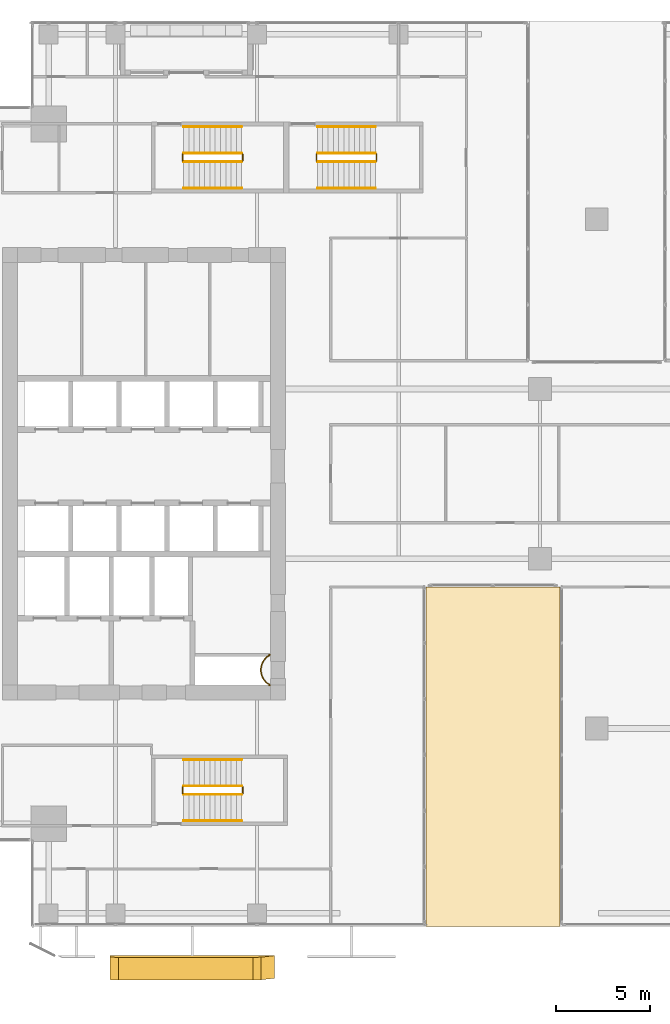
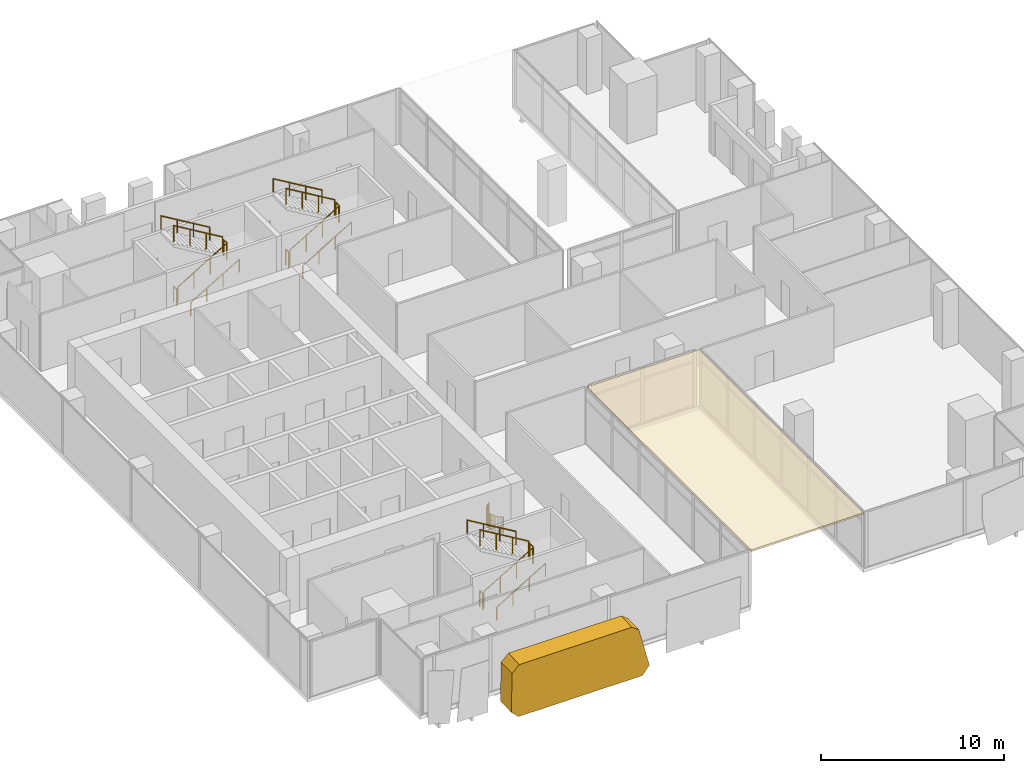
# One storey, part 38 of 40: 19 railings, 2 coverings.
"""IFC4 building model written with IfcOpenShell, lengths in metres."""

from ifc_helpers import new_model, si_unit, direction, frame, origin, origin_2d, place, context, subcontext, project, spatial, polyline, circle, outline, extrude, source, transform, mapped, material, layer, layer_set, type_object, element, save


model = new_model("IFC4")

# Units and contexts
model_context = context("Model", 3, precision=1e-05, world=origin(), true_north=direction((0.0, 1.0)))
body_context = subcontext(model_context, "Body", "Model", "MODEL_VIEW")
ifc_project = project(units=[si_unit("LENGTHUNIT", "METRE"), si_unit("AREAUNIT", "SQUARE_METRE"), si_unit("VOLUMEUNIT", "CUBIC_METRE"), si_unit("PLANEANGLEUNIT", "RADIAN"), si_unit("MASSUNIT", "GRAM", prefix="KILO")], contexts=[model_context])

# Site, building, storey
site_placement = place(None, origin())
site = spatial("IfcSite", under=ifc_project, at=site_placement, CompositionType="ELEMENT")
building_placement = place(site_placement, origin())
building = spatial("IfcBuilding", under=site, at=building_placement, Name="Khomas Fold Tower", CompositionType="ELEMENT")
storey_placement = place(building_placement, frame((0.0, 0.0, 184.699951171875)))
storey = spatial("IfcBuildingStorey", under=building, at=storey_placement, Name="L40", CompositionType="ELEMENT", Elevation=184.699951171875)

# Coverings
ifc_material_1 = material(Name="Natural stone cladding", Category="masonry")
ifc_layer_1 = layer(ifc_material_1, 1.199951171875)
ifc_layer_set_1 = layer_set([ifc_layer_1], Name="Natural stone cladding")
covering_type_1 = type_object("IfcCoveringType", Name="SK-Karibib marble stone panel", PredefinedType="CLADDING", material=ifc_layer_set_1)
covering_1_placement = place(storey_placement, frame((19.717529296875, 1.373291015625, 3.217041015625), z_axis=(2.04553e-07, 0.999510875987, 0.031273131989), x_axis=(0.260084924465, 0.030196837293, -0.965113456068)))
element("IfcCovering", 1, at=covering_1_placement, inside=storey, type_object=covering_type_1, Name="OUTER SKIN leaf L40 SS03-1", PredefinedType="CLADDING", context=body_context, shape_type="SweptSolid", body=[
    extrude(outline(polyline([(0.0, 0.0), (2.74568520118765, 0.0), (3.1805513540248147, 0.5671919304278497), (1.1396212656094615, 8.144305464219878), (0.5879142265750059, 8.461688451372773), (-1.9722770071801183, 7.772089265942067), (-2.289933013114611, 7.220539377556494), (-0.43473251553414394, 0.33296156295871887), (0.0, 0.0)])), origin(), (0.0, 0.0, -1.0), 1.199951171875),
])
ifc_material_2 = material(Name="Natural stone cladding", Category="masonry")
ifc_layer_2 = layer(ifc_material_2, 0.1201171875)
ifc_layer_set_2 = layer_set([ifc_layer_2], Name="Natural stone cladding")
covering_type_2 = type_object("IfcCoveringType", Name="Notch soffit stone GN-SF", PredefinedType="CLADDING", material=ifc_layer_set_2)
shared_shape_1 = source(origin(), body_context, "Body", "SweptSolid", [
    extrude(outline(polyline([(35.550048828125, 3.0), (35.550048828125, 21.0), (28.449951171875, 21.0), (28.449951171875, 3.0), (35.550048828125, 3.0)])), origin(), (0.0, 0.0, 1.0), 0.119873046875),
])
covering_2_placement = place(storey_placement, frame((0.0, 0.0, 3.630126953125)))
element("IfcCovering", 2, at=covering_2_placement, inside=storey, type_object=covering_type_2, Name="Notch soffit stone", PredefinedType="CLADDING", context=body_context, shape_type="MappedRepresentation", body=[
    mapped(shared_shape_1, transform((0.0, 0.0, 0.0))),
])

# Railings
ifc_material_3 = material(Name="Steel balustrade", Category="steel")
railing_type_1 = type_object("IfcRailingType", Name="Stair guard", PredefinedType="GUARDRAIL", material=ifc_material_3)
shared_shape_2 = source(origin(), body_context, "Body", "SweptSolid", [
    extrude(circle(Radius=0.02392578125, at=origin_2d()), frame((0.0, 0.0, 1.076171875), z_axis=(0.0, 1.0, 0.0), x_axis=(-1.0, 0.0, 0.0)), (0.0, 0.0, 1.0), 0.349853515625),
    extrude(circle(Radius=0.02099609375, at=origin_2d()), origin(), (0.0, 0.0, 1.0), 1.052001953125),
    extrude(circle(Radius=0.02099609375, at=origin_2d()), frame((0.0, 0.349853515625, 0.0)), (0.0, 0.0, 1.0), 1.052001953125),
])
for number, where, name in (
    (3, (18.72998046875, 43.60009765625, 2.0), "L40 ST1 stair guard 2"),
    (4, (15.550048828125, 43.60009765625, 0.0), "L40 ST1 stair guard 4"),
    (5, (18.72998046875, 10.050048828125, 2.0), "L40 ST2 stair guard 2"),
    (6, (15.550048828125, 10.050048828125, 0.0), "L40 ST2 stair guard 4"),
    (7, (25.830078125, 43.60009765625, 2.0), "L40 ST3 stair guard 2"),
    (8, (22.64990234375, 43.60009765625, 0.0), "L40 ST3 stair guard 4"),
):
    element("IfcRailing", number, at=place(storey_placement, frame(where)), inside=storey, type_object=railing_type_1, Name=name, PredefinedType="GUARDRAIL", context=body_context, shape_type="MappedRepresentation", body=[
        mapped(shared_shape_2, transform((0.0, 0.0, 0.0))),
    ])
shared_shape_3 = source(origin(), body_context, "Body", "SweptSolid", [
    extrude(circle(Radius=0.02392578125, at=origin_2d()), frame((0.0, 0.0, 1.076171875), z_axis=(0.859290745958, 0.0, 0.51148745235), x_axis=(0.0, 1.0, 0.0)), (0.0, 0.0, 1.0), 3.584228515625),
    extrude(circle(Radius=0.02099609375, at=origin_2d()), origin(), (0.0, 0.0, 1.0), 1.052001953125),
    extrude(circle(Radius=0.02099609375, at=origin_2d()), frame((1.026611328125, 0.0, 0.611083984375)), (0.0, 0.0, 1.0), 1.052001953125),
    extrude(circle(Radius=0.02099609375, at=origin_2d()), frame((2.05322265625, 0.0, 1.22216796875)), (0.0, 0.0, 1.0), 1.052001953125),
    extrude(circle(Radius=0.02099609375, at=origin_2d()), frame((3.079833984375, 0.0, 1.833251953125)), (0.0, 0.0, 1.0), 1.052001953125),
])
for number, where, name in (
    (9, (15.60009765625, 43.550048828125, 0.166748046875), "L40 ST1 stair guard 1"),
    (10, (15.60009765625, 10.0, 0.166748046875), "L40 ST2 stair guard 1"),
):
    element("IfcRailing", number, at=place(storey_placement, frame(where)), inside=storey, type_object=railing_type_1, Name=name, PredefinedType="GUARDRAIL", context=body_context, shape_type="MappedRepresentation", body=[
        mapped(shared_shape_3, transform((0.0, 0.0, 0.0))),
    ])
shared_shape_4 = source(origin(), body_context, "Body", "SweptSolid", [
    extrude(circle(Radius=0.02392578125, at=origin_2d()), frame((0.0, 0.0, 1.076171875), z_axis=(-0.859290745958, 0.0, 0.51148745235), x_axis=(0.0, -1.0, 0.0)), (0.0, 0.0, 1.0), 3.584228515625),
    extrude(circle(Radius=0.02099609375, at=origin_2d()), origin(), (0.0, 0.0, 1.0), 1.052001953125),
    extrude(circle(Radius=0.02099609375, at=origin_2d()), frame((-1.026611328125, 0.0, 0.611083984375)), (0.0, 0.0, 1.0), 1.052001953125),
    extrude(circle(Radius=0.02099609375, at=origin_2d()), frame((-2.05322265625, 0.0, 1.22216796875)), (0.0, 0.0, 1.0), 1.052001953125),
    extrude(circle(Radius=0.02099609375, at=origin_2d()), frame((-3.079833984375, 0.0, 1.833251953125)), (0.0, 0.0, 1.0), 1.052001953125),
])
for number, where, name in (
    (11, (18.679931640625, 44.0, 2.166748046875), "L40 ST1 stair guard 3"),
    (12, (18.679931640625, 10.449951171875, 2.166748046875), "L40 ST2 stair guard 3"),
):
    element("IfcRailing", number, at=place(storey_placement, frame(where)), inside=storey, type_object=railing_type_1, Name=name, PredefinedType="GUARDRAIL", context=body_context, shape_type="MappedRepresentation", body=[
        mapped(shared_shape_4, transform((0.0, 0.0, 0.0))),
    ])
ifc_material_4 = material(Name="Steel handrail", Category="steel")
railing_type_2 = type_object("IfcRailingType", Name="Stair handrail", PredefinedType="HANDRAIL", material=ifc_material_4)
shared_shape_5 = source(origin(), body_context, "Body", "SweptSolid", [
    extrude(circle(Radius=0.02392578125, at=origin_2d()), frame((0.0, 0.0, 0.8759765625), z_axis=(0.859290745958, 0.0, 0.51148745235), x_axis=(0.0, 1.0, 0.0)), (0.0, 0.0, 1.0), 3.584228515625),
    extrude(circle(Radius=0.02099609375, at=origin_2d()), origin(), (0.0, 0.0, 1.0), 0.851806640625),
    extrude(circle(Radius=0.02099609375, at=origin_2d()), frame((1.026611328125, 0.0, 0.611083984375)), (0.0, 0.0, 1.0), 0.851806640625),
    extrude(circle(Radius=0.02099609375, at=origin_2d()), frame((2.05322265625, 0.0, 1.22216796875)), (0.0, 0.0, 1.0), 0.851806640625),
    extrude(circle(Radius=0.02099609375, at=origin_2d()), frame((3.079833984375, 0.0, 1.833251953125)), (0.0, 0.0, 1.0), 0.851806640625),
])
for number, where, name in (
    (13, (15.60009765625, 42.14990234375, 0.166748046875), "L40 ST1 stair handrail 1"),
    (14, (15.60009765625, 8.60009765625, 0.166748046875), "L40 ST2 stair handrail 1"),
):
    element("IfcRailing", number, at=place(storey_placement, frame(where)), inside=storey, type_object=railing_type_2, Name=name, PredefinedType="HANDRAIL", context=body_context, shape_type="MappedRepresentation", body=[
        mapped(shared_shape_5, transform((0.0, 0.0, 0.0))),
    ])
shared_shape_6 = source(origin(), body_context, "Body", "SweptSolid", [
    extrude(circle(Radius=0.02392578125, at=origin_2d()), frame((0.0, 0.0, 0.8759765625), z_axis=(-0.859290745958, 0.0, 0.51148745235), x_axis=(0.0, -1.0, 0.0)), (0.0, 0.0, 1.0), 3.584228515625),
    extrude(circle(Radius=0.02099609375, at=origin_2d()), origin(), (0.0, 0.0, 1.0), 0.851806640625),
    extrude(circle(Radius=0.02099609375, at=origin_2d()), frame((-1.026611328125, 0.0, 0.611083984375)), (0.0, 0.0, 1.0), 0.851806640625),
    extrude(circle(Radius=0.02099609375, at=origin_2d()), frame((-2.05322265625, 0.0, 1.22216796875)), (0.0, 0.0, 1.0), 0.851806640625),
    extrude(circle(Radius=0.02099609375, at=origin_2d()), frame((-3.079833984375, 0.0, 1.833251953125)), (0.0, 0.0, 1.0), 0.851806640625),
])
for number, where, name in (
    (15, (18.679931640625, 45.39990234375, 2.166748046875), "L40 ST1 stair handrail 2"),
    (16, (18.679931640625, 11.85009765625, 2.166748046875), "L40 ST2 stair handrail 2"),
):
    element("IfcRailing", number, at=place(storey_placement, frame(where)), inside=storey, type_object=railing_type_2, Name=name, PredefinedType="HANDRAIL", context=body_context, shape_type="MappedRepresentation", body=[
        mapped(shared_shape_6, transform((0.0, 0.0, 0.0))),
    ])
shared_shape_7 = source(origin(), body_context, "Body", "SweptSolid", [
    extrude(circle(Radius=0.02392578125, at=origin_2d()), frame((0.0, 0.0, 1.076171875), z_axis=(0.859308565015, 0.0, 0.511457515432), x_axis=(0.0, 1.0, 0.0)), (0.0, 0.0, 1.0), 3.58447265625),
    extrude(circle(Radius=0.02099609375, at=origin_2d()), origin(), (0.0, 0.0, 1.0), 1.052001953125),
    extrude(circle(Radius=0.02099609375, at=origin_2d()), frame((1.026611328125, 0.0, 0.611083984375)), (0.0, 0.0, 1.0), 1.052001953125),
    extrude(circle(Radius=0.02099609375, at=origin_2d()), frame((2.053466796875, 0.0, 1.22216796875)), (0.0, 0.0, 1.0), 1.052001953125),
    extrude(circle(Radius=0.02099609375, at=origin_2d()), frame((3.080078125, 0.0, 1.833251953125)), (0.0, 0.0, 1.0), 1.052001953125),
])
railing_1_placement = place(storey_placement, frame((22.699951171875, 43.550048828125, 0.166748046875)))
element("IfcRailing", 17, at=railing_1_placement, inside=storey, type_object=railing_type_1, Name="L40 ST3 stair guard 1", PredefinedType="GUARDRAIL", context=body_context, shape_type="MappedRepresentation", body=[
    mapped(shared_shape_7, transform((0.0, 0.0, 0.0))),
])
shared_shape_8 = source(origin(), body_context, "Body", "SweptSolid", [
    extrude(circle(Radius=0.02392578125, at=origin_2d()), frame((0.0, 0.0, 1.076171875), z_axis=(-0.859308565015, 0.0, 0.511457515432), x_axis=(0.0, -1.0, 0.0)), (0.0, 0.0, 1.0), 3.58447265625),
    extrude(circle(Radius=0.02099609375, at=origin_2d()), origin(), (0.0, 0.0, 1.0), 1.052001953125),
    extrude(circle(Radius=0.02099609375, at=origin_2d()), frame((-1.026611328125, 0.0, 0.611083984375)), (0.0, 0.0, 1.0), 1.052001953125),
    extrude(circle(Radius=0.02099609375, at=origin_2d()), frame((-2.053466796875, 0.0, 1.22216796875)), (0.0, 0.0, 1.0), 1.052001953125),
    extrude(circle(Radius=0.02099609375, at=origin_2d()), frame((-3.080078125, 0.0, 1.833251953125)), (0.0, 0.0, 1.0), 1.052001953125),
])
railing_2_placement = place(storey_placement, frame((25.780029296875, 44.0, 2.166748046875)))
element("IfcRailing", 18, at=railing_2_placement, inside=storey, type_object=railing_type_1, Name="L40 ST3 stair guard 3", PredefinedType="GUARDRAIL", context=body_context, shape_type="MappedRepresentation", body=[
    mapped(shared_shape_8, transform((0.0, 0.0, 0.0))),
])
shared_shape_9 = source(origin(), body_context, "Body", "SweptSolid", [
    extrude(circle(Radius=0.02392578125, at=origin_2d()), frame((0.0, 0.0, 0.8759765625), z_axis=(0.859308565015, 0.0, 0.511457515432), x_axis=(0.0, 1.0, 0.0)), (0.0, 0.0, 1.0), 3.58447265625),
    extrude(circle(Radius=0.02099609375, at=origin_2d()), origin(), (0.0, 0.0, 1.0), 0.851806640625),
    extrude(circle(Radius=0.02099609375, at=origin_2d()), frame((1.026611328125, 0.0, 0.611083984375)), (0.0, 0.0, 1.0), 0.851806640625),
    extrude(circle(Radius=0.02099609375, at=origin_2d()), frame((2.053466796875, 0.0, 1.22216796875)), (0.0, 0.0, 1.0), 0.851806640625),
    extrude(circle(Radius=0.02099609375, at=origin_2d()), frame((3.080078125, 0.0, 1.833251953125)), (0.0, 0.0, 1.0), 0.851806640625),
])
railing_3_placement = place(storey_placement, frame((22.699951171875, 42.14990234375, 0.166748046875)))
element("IfcRailing", 19, at=railing_3_placement, inside=storey, type_object=railing_type_2, Name="L40 ST3 stair handrail 1", PredefinedType="HANDRAIL", context=body_context, shape_type="MappedRepresentation", body=[
    mapped(shared_shape_9, transform((0.0, 0.0, 0.0))),
])
shared_shape_10 = source(origin(), body_context, "Body", "SweptSolid", [
    extrude(circle(Radius=0.02392578125, at=origin_2d()), frame((0.0, 0.0, 0.8759765625), z_axis=(-0.859308565015, 0.0, 0.511457515432), x_axis=(0.0, -1.0, 0.0)), (0.0, 0.0, 1.0), 3.58447265625),
    extrude(circle(Radius=0.02099609375, at=origin_2d()), origin(), (0.0, 0.0, 1.0), 0.851806640625),
    extrude(circle(Radius=0.02099609375, at=origin_2d()), frame((-1.026611328125, 0.0, 0.611083984375)), (0.0, 0.0, 1.0), 0.851806640625),
    extrude(circle(Radius=0.02099609375, at=origin_2d()), frame((-2.053466796875, 0.0, 1.22216796875)), (0.0, 0.0, 1.0), 0.851806640625),
    extrude(circle(Radius=0.02099609375, at=origin_2d()), frame((-3.080078125, 0.0, 1.833251953125)), (0.0, 0.0, 1.0), 0.851806640625),
])
railing_4_placement = place(storey_placement, frame((25.780029296875, 45.39990234375, 2.166748046875)))
element("IfcRailing", 20, at=railing_4_placement, inside=storey, type_object=railing_type_2, Name="L40 ST3 stair handrail 2", PredefinedType="HANDRAIL", context=body_context, shape_type="MappedRepresentation", body=[
    mapped(shared_shape_10, transform((0.0, 0.0, 0.0))),
])
ifc_material_5 = material(Name="Steel balustrade", Category="steel")
railing_type_3 = type_object("IfcRailingType", Name="Shaft guard", PredefinedType="GUARDRAIL", material=ifc_material_5)
shared_shape_11 = source(origin(), body_context, "Body", "SweptSolid", [
    extrude(circle(Radius=0.02490234375, at=origin_2d()), frame((0.0, 0.0, 1.0751953125), z_axis=(1.0, 0.0, 0.0), x_axis=(0.0, 1.0, 0.0)), (0.0, 0.0, 1.0), 0.06103515625),
    extrude(circle(Radius=0.02490234375, at=origin_2d()), frame((0.06103515625, 0.0, 1.0751953125), z_axis=(-0.90746690712, -0.420123568111, 0.0), x_axis=(0.420123568111, -0.90746690712, 0.0)), (0.0, 0.0, 1.0), 0.0146484375),
    extrude(circle(Radius=0.02490234375, at=origin_2d()), frame((0.0478515625, -0.006103515625, 1.0751953125), z_axis=(-0.857492925713, -0.514495755428, 0.0), x_axis=(0.514495755428, -0.857492925713, 0.0)), (0.0, 0.0, 1.0), 0.08837890625),
    extrude(circle(Radius=0.02490234375, at=origin_2d()), frame((-0.02783203125, -0.051513671875, 1.0751953125), z_axis=(-0.802970227885, -0.596019138224, 0.0), x_axis=(0.596019138224, -0.802970227885, 0.0)), (0.0, 0.0, 1.0), 0.08837890625),
    extrude(circle(Radius=0.02490234375, at=origin_2d()), frame((-0.098876953125, -0.104248046875, 1.0751953125), z_axis=(-0.740814996175, -0.671709119666, 0.0), x_axis=(0.671709119666, -0.740814996175, 0.0)), (0.0, 0.0, 1.0), 0.08837890625),
    extrude(circle(Radius=0.02490234375, at=origin_2d()), frame((-0.164306640625, -0.16357421875, 1.0751953125), z_axis=(-0.671709119666, -0.740814996175, 0.0), x_axis=(0.740814996175, -0.671709119666, 0.0)), (0.0, 0.0, 1.0), 0.08837890625),
    extrude(circle(Radius=0.02490234375, at=origin_2d()), frame((-0.2236328125, -0.22900390625, 1.0751953125), z_axis=(-0.595558727233, -0.803311771616, 0.0), x_axis=(0.803311771616, -0.595558727233, 0.0)), (0.0, 0.0, 1.0), 0.088134765625),
    extrude(circle(Radius=0.02490234375, at=origin_2d()), frame((-0.276123046875, -0.2998046875, 1.0751953125), z_axis=(-0.514495755428, -0.857492925713, 0.0), x_axis=(0.857492925713, -0.514495755428, 0.0)), (0.0, 0.0, 1.0), 0.08837890625),
    extrude(circle(Radius=0.02490234375, at=origin_2d()), frame((-0.321533203125, -0.37548828125, 1.0751953125), z_axis=(-0.427256721383, -0.904130352346, 0.0), x_axis=(0.904130352346, -0.427256721383, 0.0)), (0.0, 0.0, 1.0), 0.088623046875),
    extrude(circle(Radius=0.02490234375, at=origin_2d()), frame((-0.359375, -0.45556640625, 1.0751953125), z_axis=(-0.337738989679, -0.941239807302, 0.0), x_axis=(0.941239807302, -0.337738989679, 0.0)), (0.0, 0.0, 1.0), 0.088134765625),
    extrude(circle(Radius=0.02490234375, at=origin_2d()), frame((-0.38916015625, -0.53857421875, 1.0751953125), z_axis=(-0.243185799972, -0.969979724887, 0.0), x_axis=(0.969979724887, -0.243185799972, 0.0)), (0.0, 0.0, 1.0), 0.08837890625),
    extrude(circle(Radius=0.02490234375, at=origin_2d()), frame((-0.41064453125, -0.624267578125, 1.0751953125), z_axis=(-0.146448518259, -0.989218293148, 0.0), x_axis=(0.989218293148, -0.146448518259, 0.0)), (0.0, 0.0, 1.0), 0.08837890625),
    extrude(circle(Radius=0.02490234375, at=origin_2d()), frame((-0.423583984375, -0.711669921875, 1.0751953125), z_axis=(-0.049799629132, -0.998759228712, 0.0), x_axis=(0.998759228712, -0.049799629132, 0.0)), (0.0, 0.0, 1.0), 0.088134765625),
    extrude(circle(Radius=0.02490234375, at=origin_2d()), frame((-0.427978515625, -0.7998046875, 1.0751953125), z_axis=(0.049662400856, -0.998766061669, 0.0), x_axis=(0.998766061669, 0.049662400856, 0.0)), (0.0, 0.0, 1.0), 0.08837890625),
    extrude(circle(Radius=0.02490234375, at=origin_2d()), frame((-0.423583984375, -0.88818359375, 1.0751953125), z_axis=(0.146448518259, -0.989218293148, 0.0), x_axis=(0.989218293148, 0.146448518259, 0.0)), (0.0, 0.0, 1.0), 0.08837890625),
    extrude(circle(Radius=0.02490234375, at=origin_2d()), frame((-0.41064453125, -0.9755859375, 1.0751953125), z_axis=(0.243185799972, -0.969979724887, 0.0), x_axis=(0.969979724887, 0.243185799972, 0.0)), (0.0, 0.0, 1.0), 0.08837890625),
    extrude(circle(Radius=0.02490234375, at=origin_2d()), frame((-0.38916015625, -1.061279296875, 1.0751953125), z_axis=(0.337738989679, -0.941239807302, 0.0), x_axis=(0.941239807302, 0.337738989679, 0.0)), (0.0, 0.0, 1.0), 0.088134765625),
    extrude(circle(Radius=0.02490234375, at=origin_2d()), frame((-0.359375, -1.144287109375, 1.0751953125), z_axis=(0.428323905606, -0.903625271828, 0.0), x_axis=(0.903625271828, 0.428323905606, 0.0)), (0.0, 0.0, 1.0), 0.08837890625),
    extrude(circle(Radius=0.02490234375, at=origin_2d()), frame((-0.321533203125, -1.22412109375, 1.0751953125), z_axis=(0.514495755428, -0.857492925713, 0.0), x_axis=(0.857492925713, 0.514495755428, 0.0)), (0.0, 0.0, 1.0), 0.08837890625),
    extrude(circle(Radius=0.02490234375, at=origin_2d()), frame((-0.276123046875, -1.2998046875, 1.0751953125), z_axis=(0.594235623595, -0.804291006819, 0.0), x_axis=(0.804291006819, 0.594235623595, 0.0)), (0.0, 0.0, 1.0), 0.08837890625),
    extrude(circle(Radius=0.02490234375, at=origin_2d()), frame((-0.2236328125, -1.370849609375, 1.0751953125), z_axis=(0.671709119666, -0.740814996175, 0.0), x_axis=(0.740814996175, 0.671709119666, 0.0)), (0.0, 0.0, 1.0), 0.08837890625),
    extrude(circle(Radius=0.02490234375, at=origin_2d()), frame((-0.164306640625, -1.436279296875, 1.0751953125), z_axis=(0.740814996175, -0.671709119666, 0.0), x_axis=(0.671709119666, 0.740814996175, 0.0)), (0.0, 0.0, 1.0), 0.08837890625),
    extrude(circle(Radius=0.02490234375, at=origin_2d()), frame((-0.098876953125, -1.49560546875, 1.0751953125), z_axis=(0.804291006819, -0.594235623595, 0.0), x_axis=(0.594235623595, 0.804291006819, 0.0)), (0.0, 0.0, 1.0), 0.08837890625),
    extrude(circle(Radius=0.02490234375, at=origin_2d()), frame((-0.02783203125, -1.548095703125, 1.0751953125), z_axis=(0.857492925713, -0.514495755428, 0.0), x_axis=(0.514495755428, 0.857492925713, 0.0)), (0.0, 0.0, 1.0), 0.08837890625),
    extrude(circle(Radius=0.02490234375, at=origin_2d()), frame((0.0478515625, -1.593505859375, 1.0751953125), z_axis=(0.901001669759, -0.433815618773, 0.0), x_axis=(0.433815618773, 0.901001669759, 0.0)), (0.0, 0.0, 1.0), 0.0146484375),
    extrude(circle(Radius=0.02490234375, at=origin_2d()), frame((0.06103515625, -1.599853515625, 1.0751953125), z_axis=(-1.0, 0.0, 0.0), x_axis=(0.0, -1.0, 0.0)), (0.0, 0.0, 1.0), 0.06103515625),
    extrude(circle(Radius=0.02001953125, at=origin_2d()), origin(), (0.0, 0.0, 1.0), 1.050048828125),
    extrude(circle(Radius=0.02001953125, at=origin_2d()), frame((0.06103515625, 0.0, 0.0)), (0.0, 0.0, 1.0), 1.050048828125),
    extrude(circle(Radius=0.02001953125, at=origin_2d()), frame((0.0478515625, -0.006103515625, 0.0)), (0.0, 0.0, 1.0), 1.050048828125),
    extrude(circle(Radius=0.02001953125, at=origin_2d()), frame((-0.02783203125, -0.051513671875, 0.0)), (0.0, 0.0, 1.0), 1.050048828125),
    extrude(circle(Radius=0.02001953125, at=origin_2d()), frame((-0.098876953125, -0.104248046875, 0.0)), (0.0, 0.0, 1.0), 1.050048828125),
    extrude(circle(Radius=0.02001953125, at=origin_2d()), frame((-0.164306640625, -0.16357421875, 0.0)), (0.0, 0.0, 1.0), 1.050048828125),
    extrude(circle(Radius=0.02001953125, at=origin_2d()), frame((-0.2236328125, -0.22900390625, 0.0)), (0.0, 0.0, 1.0), 1.050048828125),
    extrude(circle(Radius=0.02001953125, at=origin_2d()), frame((-0.276123046875, -0.2998046875, 0.0)), (0.0, 0.0, 1.0), 1.050048828125),
    extrude(circle(Radius=0.02001953125, at=origin_2d()), frame((-0.321533203125, -0.37548828125, 0.0)), (0.0, 0.0, 1.0), 1.050048828125),
    extrude(circle(Radius=0.02001953125, at=origin_2d()), frame((-0.359375, -0.45556640625, 0.0)), (0.0, 0.0, 1.0), 1.050048828125),
    extrude(circle(Radius=0.02001953125, at=origin_2d()), frame((-0.38916015625, -0.53857421875, 0.0)), (0.0, 0.0, 1.0), 1.050048828125),
    extrude(circle(Radius=0.02001953125, at=origin_2d()), frame((-0.41064453125, -0.624267578125, 0.0)), (0.0, 0.0, 1.0), 1.050048828125),
    extrude(circle(Radius=0.02001953125, at=origin_2d()), frame((-0.423583984375, -0.711669921875, 0.0)), (0.0, 0.0, 1.0), 1.050048828125),
    extrude(circle(Radius=0.02001953125, at=origin_2d()), frame((-0.427978515625, -0.7998046875, 0.0)), (0.0, 0.0, 1.0), 1.050048828125),
    extrude(circle(Radius=0.02001953125, at=origin_2d()), frame((-0.423583984375, -0.88818359375, 0.0)), (0.0, 0.0, 1.0), 1.050048828125),
    extrude(circle(Radius=0.02001953125, at=origin_2d()), frame((-0.41064453125, -0.9755859375, 0.0)), (0.0, 0.0, 1.0), 1.050048828125),
    extrude(circle(Radius=0.02001953125, at=origin_2d()), frame((-0.38916015625, -1.061279296875, 0.0)), (0.0, 0.0, 1.0), 1.050048828125),
    extrude(circle(Radius=0.02001953125, at=origin_2d()), frame((-0.359375, -1.144287109375, 0.0)), (0.0, 0.0, 1.0), 1.050048828125),
    extrude(circle(Radius=0.02001953125, at=origin_2d()), frame((-0.321533203125, -1.22412109375, 0.0)), (0.0, 0.0, 1.0), 1.050048828125),
    extrude(circle(Radius=0.02001953125, at=origin_2d()), frame((-0.276123046875, -1.2998046875, 0.0)), (0.0, 0.0, 1.0), 1.050048828125),
    extrude(circle(Radius=0.02001953125, at=origin_2d()), frame((-0.2236328125, -1.370849609375, 0.0)), (0.0, 0.0, 1.0), 1.050048828125),
    extrude(circle(Radius=0.02001953125, at=origin_2d()), frame((-0.164306640625, -1.436279296875, 0.0)), (0.0, 0.0, 1.0), 1.050048828125),
    extrude(circle(Radius=0.02001953125, at=origin_2d()), frame((-0.098876953125, -1.49560546875, 0.0)), (0.0, 0.0, 1.0), 1.050048828125),
    extrude(circle(Radius=0.02001953125, at=origin_2d()), frame((-0.02783203125, -1.548095703125, 0.0)), (0.0, 0.0, 1.0), 1.050048828125),
    extrude(circle(Radius=0.02001953125, at=origin_2d()), frame((0.0478515625, -1.593505859375, 0.0)), (0.0, 0.0, 1.0), 1.050048828125),
    extrude(circle(Radius=0.02001953125, at=origin_2d()), frame((0.06103515625, -1.599853515625, 0.0)), (0.0, 0.0, 1.0), 1.050048828125),
    extrude(circle(Radius=0.02001953125, at=origin_2d()), frame((0.0, -1.599853515625, 0.0)), (0.0, 0.0, 1.0), 1.050048828125),
])
railing_5_placement = place(storey_placement, frame((20.1279296875, 17.39990234375, 0.0)))
element("IfcRailing", 21, at=railing_5_placement, inside=storey, type_object=railing_type_3, Name="Shaft guard L40 1", PredefinedType="GUARDRAIL", context=body_context, shape_type="MappedRepresentation", body=[
    mapped(shared_shape_11, transform((0.0, 0.0, 0.0))),
])

save(model, "model.ifc")
